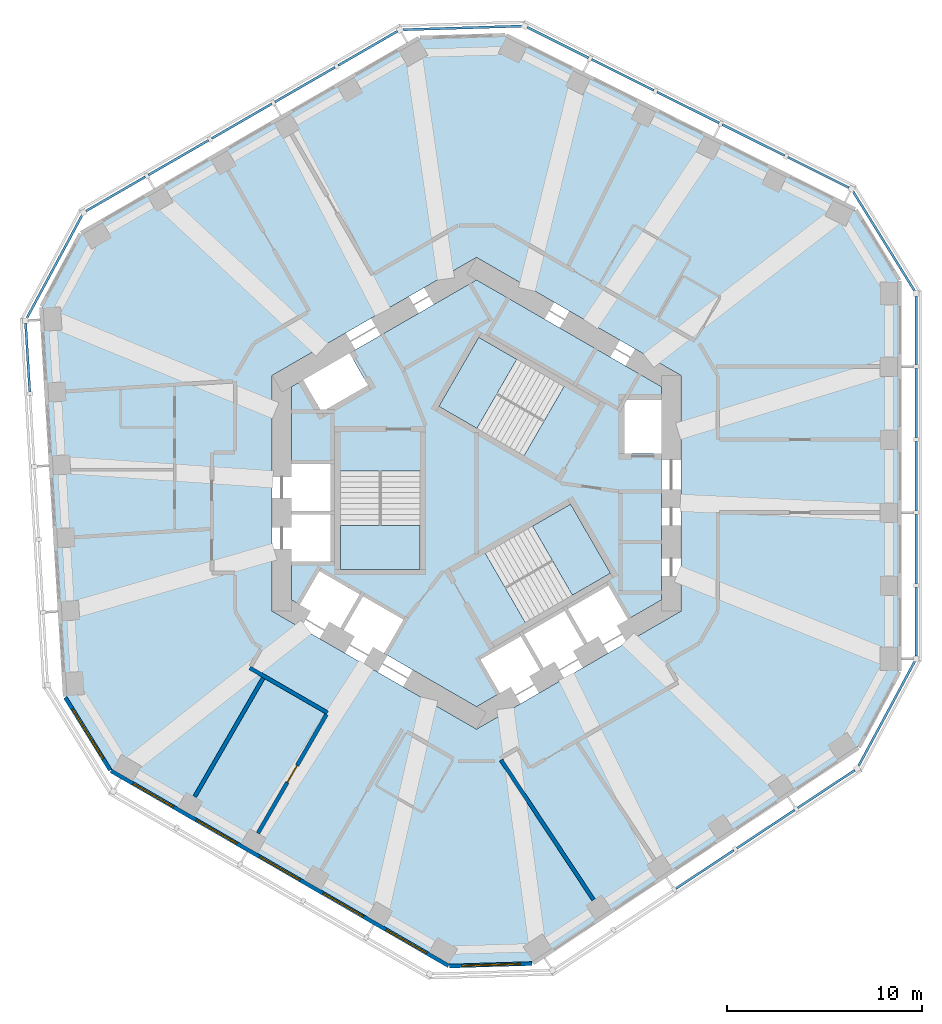
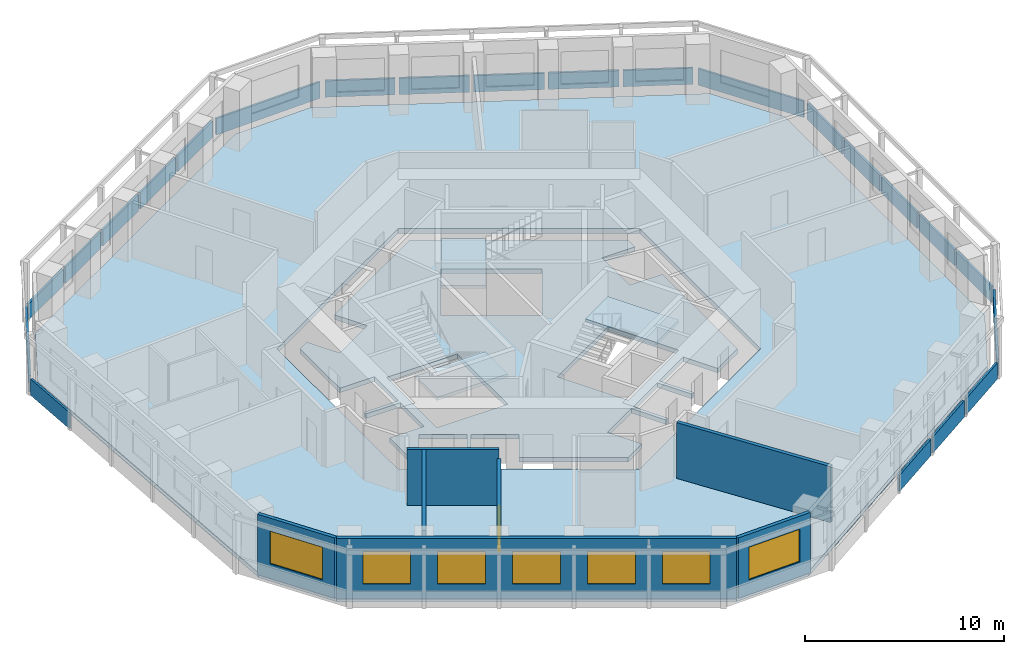
# One storey, part 3 of 10: 23 plates, 7 walls, 7 windows, 5 slabs, 1 door, 8 openings, 12 elements without a shape of their own.
"""IFC4 building model written with IfcOpenShell, lengths in metres."""

from ifc_helpers import new_model, si_unit, direction, frame, frame_2d, origin, origin_2d, place, context, subcontext, project, spatial, polyline, rectangle, outline, extrude, material, layer, layer_set, type_object, element, fill, aggregate, save


model = new_model("IFC4")

# Units and contexts
model_context = context("Model", 3, precision=1e-05, world=origin(), true_north=direction((0.0, 1.0)))
body_context = subcontext(model_context, "Body", "Model", "MODEL_VIEW")
ifc_project = project(units=[si_unit("LENGTHUNIT", "METRE"), si_unit("AREAUNIT", "SQUARE_METRE"), si_unit("VOLUMEUNIT", "CUBIC_METRE"), si_unit("PLANEANGLEUNIT", "RADIAN"), si_unit("MASSUNIT", "GRAM", prefix="KILO")], contexts=[model_context])

# Site, building, storey
site_placement = place(None, origin())
site = spatial("IfcSite", under=ifc_project, at=site_placement, CompositionType="ELEMENT")
building_placement = place(site_placement, origin())
building = spatial("IfcBuilding", under=site, at=building_placement, Name="Vanh Sen Convention Tower", CompositionType="ELEMENT")
storey_placement = place(building_placement, frame((0.0, 0.0, 161.39990234375)))
storey = spatial("IfcBuildingStorey", under=building, at=storey_placement, Name="L39", CompositionType="ELEMENT", Elevation=161.39990234375)

# Slabs
ifc_material_1 = material(Name="Concrete C40/50", Category="concrete")
ifc_layer_1 = layer(ifc_material_1, 0.280029296875)
ifc_layer_set_1 = layer_set([ifc_layer_1], Name="Concrete C40/50")
slab_type_1 = type_object("IfcSlabType", Name="Core slab 280", PredefinedType="FLOOR", material=ifc_layer_set_1)
slab_1_placement = place(storey_placement, frame((0.0, 0.0, -0.27978515625)))
element("IfcSlab", 1, at=slab_1_placement, inside=storey, type_object=slab_type_1, Name="Core slab L39", PredefinedType="FLOOR", context=body_context, shape_type="SweptSolid", body=[
    extrude(outline(polyline([(0.0, 10.9697265625), (9.5, 5.48486328125), (9.5, 4.800048828125), (7.60009765625, 4.800048828125), (7.60009765625, 2.050048828125), (9.5, 2.050048828125), (9.5, -5.48486328125), (7.781005859375, -6.477294921875), (6.781005859375, -4.7451171875), (4.70263671875, -5.9453125), (5.70263671875, -7.67724609375), (5.529296875, -7.777099609375), (4.529296875, -6.045166015625), (2.450927734375, -7.2451171875), (3.450927734375, -8.977294921875), (3.27783203125, -9.0771484375), (2.27783203125, -7.34521484375), (0.19921875, -8.545166015625), (1.19921875, -10.277099609375), (0.0, -10.9697265625), (-4.75, -8.227294921875), (-3.75, -6.4951171875), (-5.82861328125, -5.295166015625), (-6.82861328125, -7.027099609375), (-7.001708984375, -6.92724609375), (-6.001708984375, -5.1953125), (-8.080078125, -3.9951171875), (-9.080078125, -5.727294921875), (-9.5, -5.48486328125), (-9.5, -3.5), (-7.5, -3.5), (-7.5, -1.10009765625), (-9.5, -1.10009765625), (-9.5, -0.89990234375), (-7.5, -0.89990234375), (-7.5, 1.5), (-9.5, 1.5), (-9.5, 5.48486328125), (-8.906982421875, 5.8271484375), (-7.956787109375, 4.181884765625), (-5.575439453125, 5.556884765625), (-6.525390625, 7.2021484375), (0.0, 10.9697265625)]), holes=[polyline([(-7.0, 1.1494140625), (-7.0, -3.909912109375), (-2.89990234375, -3.909912109375), (-2.89990234375, 1.1494140625), (-7.0, 1.1494140625)]), polyline([(2.504638671875, -6.63671875), (6.88623046875, -4.107177734375), (4.836181640625, -0.556396484375), (0.45458984375, -3.086181640625), (2.504638671875, -6.63671875)]), polyline([(0.11376953125, 8.01708984375), (-1.936279296875, 4.466552734375), (2.4453125, 1.936767578125), (4.495361328125, 5.487548828125), (0.11376953125, 8.01708984375)])]), origin(), (0.0, 0.0, 1.0), 0.27978515625),
])
ifc_layer_2 = layer(ifc_material_1, 0.280029296875)
ifc_layer_set_2 = layer_set([ifc_layer_2], Name="Concrete C40/50")
slab_type_2 = type_object("IfcSlabType", Name="Floor slab 280 REI 120", PredefinedType="FLOOR", material=ifc_layer_set_2)
slab_2_placement = place(storey_placement, frame((0.0, 0.0, -0.27978515625)))
element("IfcSlab", 2, at=slab_2_placement, inside=storey, type_object=slab_type_2, Name="Floor slab L39 tower", PredefinedType="FLOOR", context=body_context, shape_type="SweptSolid", body=[
    extrude(outline(polyline([(21.699951171875, -9.15087890625), (21.699951171875, 10.91943359375), (19.454833984375, 14.5478515625), (1.492919921875, 23.503173828125), (-2.925048828125, 23.368408203125), (-20.306640625, 13.3330078125), (-22.326171875, 9.574462890625), (-21.100830078125, -10.458740234375), (-18.77490234375, -14.21728515625), (-1.393310546875, -24.25244140625), (2.871337890625, -24.122314453125), (19.60791015625, -13.04443359375), (21.699951171875, -9.15087890625)]), holes=[polyline([(0.0, 12.12451171875), (-10.5, 6.062255859375), (-10.5, -6.062255859375), (0.0, -12.12451171875), (10.5, -6.062255859375), (10.5, 6.062255859375), (0.0, 12.12451171875)])]), origin(), (0.0, 0.0, 1.0), 0.27978515625),
])

# Curtain wall, plates
ifc_material_2 = material(Name="Concrete C50/60", Category="concrete")
curtain_wall_type = type_object("IfcCurtainWallType", Name="Outer skin office zone", PredefinedType="NOTDEFINED", material=ifc_material_2)
curtain_wall_1_placement = place(storey_placement, origin())
curtain_wall_1 = element("IfcCurtainWall", 3, at=curtain_wall_1_placement, inside=storey, type_object=curtain_wall_type, Name="OUTER SKIN E L39", PredefinedType="NOTDEFINED")
ifc_layer_3 = layer(ifc_material_2, 0.1201171875)
ifc_layer_set_3 = layer_set([ifc_layer_3], Name="Concrete C50/60")
plate_type = type_object("IfcPlateType", Name="Outer skin precast screen panel 120", PredefinedType="CURTAIN_PANEL", material=ifc_layer_set_3)
plate_1_placement = place(storey_placement, frame((22.60009765625, -6.59912109375, 0.0), z_axis=(0.0, 0.0, 1.0), x_axis=(0.0, 1.0, 0.0)))
plate_1 = element("IfcPlate", 4, at=plate_1_placement, type_object=plate_type, Name="OUTER SKIN screen panel E-1", PredefinedType="CURTAIN_PANEL", context=body_context, shape_type="SweptSolid", body=[
    extrude(rectangle(XDim=3.504150390625, YDim=0.1201171875, at=origin_2d()), origin(), (0.0, 0.0, 1.0), 1.0),
])
plate_2_placement = place(storey_placement, frame((22.60009765625, -2.869873046875, 0.0), z_axis=(0.0, 0.0, 1.0), x_axis=(0.0, 1.0, 0.0)))
plate_2 = element("IfcPlate", 5, at=plate_2_placement, type_object=plate_type, Name="OUTER SKIN screen panel E-2", PredefinedType="CURTAIN_PANEL", context=body_context, shape_type="SweptSolid", body=[
    extrude(rectangle(XDim=3.55419921875, YDim=0.1201171875, at=origin_2d()), origin(), (0.0, 0.0, 1.0), 1.0),
])
plate_3_placement = place(storey_placement, frame((22.60009765625, 0.88427734375, 0.0), z_axis=(0.0, 0.0, 1.0), x_axis=(0.0, 1.0, 0.0)))
plate_3 = element("IfcPlate", 6, at=plate_3_placement, type_object=plate_type, Name="OUTER SKIN screen panel E-3", PredefinedType="CURTAIN_PANEL", context=body_context, shape_type="SweptSolid", body=[
    extrude(rectangle(XDim=3.55419921875, YDim=0.1201171875, at=origin_2d()), origin(), (0.0, 0.0, 1.0), 1.0),
])
plate_4_placement = place(storey_placement, frame((22.60009765625, 4.63818359375, 0.0), z_axis=(0.0, 0.0, 1.0), x_axis=(0.0, 1.0, 0.0)))
plate_4 = element("IfcPlate", 7, at=plate_4_placement, type_object=plate_type, Name="OUTER SKIN screen panel E-4", PredefinedType="CURTAIN_PANEL", context=body_context, shape_type="SweptSolid", body=[
    extrude(rectangle(XDim=3.55419921875, YDim=0.1201171875, at=origin_2d()), origin(), (0.0, 0.0, 1.0), 1.0),
])
plate_5_placement = place(storey_placement, frame((22.60009765625, 8.367431640625, 0.0), z_axis=(0.0, 0.0, 1.0), x_axis=(0.0, 1.0, 0.0)))
plate_5 = element("IfcPlate", 8, at=plate_5_placement, type_object=plate_type, Name="OUTER SKIN screen panel E-5", PredefinedType="CURTAIN_PANEL", context=body_context, shape_type="SweptSolid", body=[
    extrude(rectangle(XDim=3.504150390625, YDim=0.1201171875, at=origin_2d()), origin(), (0.0, 0.0, 1.0), 1.0),
])
aggregate(curtain_wall_1, [plate_1, plate_2, plate_3, plate_4, plate_5])

# Curtain wall, plate
curtain_wall_2_placement = place(storey_placement, origin())
curtain_wall_2 = element("IfcCurtainWall", 9, at=curtain_wall_2_placement, inside=storey, type_object=curtain_wall_type, Name="OUTER SKIN CH1 L39", PredefinedType="NOTDEFINED")
plate_6_placement = place(storey_placement, frame((20.937255859375, 12.956298828125, 0.0), z_axis=(0.0, 0.0, 1.0), x_axis=(-0.5262035346, 0.850358653848, 0.0)))
plate_6 = element("IfcPlate", 10, at=plate_6_placement, type_object=plate_type, Name="OUTER SKIN screen panel CH1-1", PredefinedType="CURTAIN_PANEL", context=body_context, shape_type="SweptSolid", body=[
    extrude(rectangle(XDim=6.01953125, YDim=0.1201171875, at=origin_2d()), origin(), (0.0, 0.0, 1.0), 1.0),
])
aggregate(curtain_wall_2, [plate_6])

# Curtain wall, plates
curtain_wall_3_placement = place(storey_placement, origin())
curtain_wall_3 = element("IfcCurtainWall", 11, at=curtain_wall_3_placement, inside=storey, type_object=curtain_wall_type, Name="OUTER SKIN NE L39", PredefinedType="NOTDEFINED")
plate_7_placement = place(storey_placement, frame((17.572509765625, 16.491943359375, 0.0), z_axis=(0.0, 0.0, 1.0), x_axis=(-0.894943706551, 0.446179069551, 0.0)))
plate_7 = element("IfcPlate", 12, at=plate_7_placement, type_object=plate_type, Name="OUTER SKIN screen panel NE-1", PredefinedType="CURTAIN_PANEL", context=body_context, shape_type="SweptSolid", body=[
    extrude(rectangle(XDim=3.504150390625, YDim=0.1201171875, at=origin_2d()), origin(), (0.0, 0.0, 1.0), 1.0),
])
plate_8_placement = place(storey_placement, frame((14.235107421875, 18.156005859375, 0.0), z_axis=(0.0, 0.0, 1.0), x_axis=(-0.894932804072, 0.446200937017, 0.0)))
plate_8 = element("IfcPlate", 13, at=plate_8_placement, type_object=plate_type, Name="OUTER SKIN screen panel NE-2", PredefinedType="CURTAIN_PANEL", context=body_context, shape_type="SweptSolid", body=[
    extrude(rectangle(XDim=3.55419921875, YDim=0.1201171875, at=origin_2d()), origin(), (0.0, 0.0, 1.0), 1.0),
])
plate_9_placement = place(storey_placement, frame((10.87548828125, 19.8310546875, 0.0), z_axis=(0.0, 0.0, 1.0), x_axis=(-0.894932804072, 0.446200937017, 0.0)))
plate_9 = element("IfcPlate", 14, at=plate_9_placement, type_object=plate_type, Name="OUTER SKIN screen panel NE-3", PredefinedType="CURTAIN_PANEL", context=body_context, shape_type="SweptSolid", body=[
    extrude(rectangle(XDim=3.55419921875, YDim=0.1201171875, at=origin_2d()), origin(), (0.0, 0.0, 1.0), 1.0),
])
plate_10_placement = place(storey_placement, frame((7.515625, 21.506103515625, 0.0), z_axis=(0.0, 0.0, 1.0), x_axis=(-0.894932804072, 0.446200937017, 0.0)))
plate_10 = element("IfcPlate", 15, at=plate_10_placement, type_object=plate_type, Name="OUTER SKIN screen panel NE-4", PredefinedType="CURTAIN_PANEL", context=body_context, shape_type="SweptSolid", body=[
    extrude(rectangle(XDim=3.55419921875, YDim=0.1201171875, at=origin_2d()), origin(), (0.0, 0.0, 1.0), 1.0),
])
plate_11_placement = place(storey_placement, frame((4.178466796875, 23.169921875, 0.0), z_axis=(0.0, 0.0, 1.0), x_axis=(-0.894943706551, 0.446179069551, 0.0)))
plate_11 = element("IfcPlate", 16, at=plate_11_placement, type_object=plate_type, Name="OUTER SKIN screen panel NE-5", PredefinedType="CURTAIN_PANEL", context=body_context, shape_type="SweptSolid", body=[
    extrude(rectangle(XDim=3.504150390625, YDim=0.1201171875, at=origin_2d()), origin(), (0.0, 0.0, 1.0), 1.0),
])
aggregate(curtain_wall_3, [plate_7, plate_8, plate_9, plate_10, plate_11])

# Curtain wall, plate
curtain_wall_4_placement = place(storey_placement, origin())
curtain_wall_4 = element("IfcCurtainWall", 17, at=curtain_wall_4_placement, inside=storey, type_object=curtain_wall_type, Name="OUTER SKIN CH2 L39", PredefinedType="NOTDEFINED")
plate_12_placement = place(storey_placement, frame((-0.73095703125, 23.920654296875, 0.0), z_axis=(0.0, 0.0, 1.0), x_axis=(-0.999533590837, -0.03053851321, 0.0)))
plate_12 = element("IfcPlate", 18, at=plate_12_placement, type_object=plate_type, Name="OUTER SKIN screen panel CH2-1", PredefinedType="CURTAIN_PANEL", context=body_context, shape_type="SweptSolid", body=[
    extrude(rectangle(XDim=6.1171875, YDim=0.1201171875, at=origin_2d()), origin(), (0.0, 0.0, 1.0), 1.0),
])
aggregate(curtain_wall_4, [plate_12])

# Curtain wall, plates
curtain_wall_5_placement = place(storey_placement, origin())
curtain_wall_5 = element("IfcCurtainWall", 19, at=curtain_wall_5_placement, inside=storey, type_object=curtain_wall_type, Name="OUTER SKIN NW L39", PredefinedType="NOTDEFINED")
plate_13_placement = place(storey_placement, frame((-5.585205078125, 22.87158203125, 0.0), z_axis=(0.0, 0.0, 1.0), x_axis=(-0.866035002936, -0.499983373414, 0.0)))
plate_13 = element("IfcPlate", 20, at=plate_13_placement, type_object=plate_type, Name="OUTER SKIN screen panel NW-1", PredefinedType="CURTAIN_PANEL", context=body_context, shape_type="SweptSolid", body=[
    extrude(rectangle(XDim=3.504150390625, YDim=0.1201171875, at=origin_2d()), origin(), (0.0, 0.0, 1.0), 1.0),
])
plate_14_placement = place(storey_placement, frame((-8.814697265625, 21.007080078125, 0.0), z_axis=(0.0, 0.0, 1.0), x_axis=(-0.866016677006, -0.500015114919, 0.0)))
plate_14 = element("IfcPlate", 21, at=plate_14_placement, type_object=plate_type, Name="OUTER SKIN screen panel NW-2", PredefinedType="CURTAIN_PANEL", context=body_context, shape_type="SweptSolid", body=[
    extrude(rectangle(XDim=3.55419921875, YDim=0.1201171875, at=origin_2d()), origin(), (0.0, 0.0, 1.0), 1.0),
])
plate_15_placement = place(storey_placement, frame((-12.06591796875, 19.1298828125, 0.0), z_axis=(0.0, 0.0, 1.0), x_axis=(-0.866035002936, -0.499983373414, 0.0)))
plate_15 = element("IfcPlate", 22, at=plate_15_placement, type_object=plate_type, Name="OUTER SKIN screen panel NW-3", PredefinedType="CURTAIN_PANEL", context=body_context, shape_type="SweptSolid", body=[
    extrude(rectangle(XDim=3.55419921875, YDim=0.1201171875, at=origin_2d()), origin(), (0.0, 0.0, 1.0), 1.0),
])
plate_16_placement = place(storey_placement, frame((-15.31689453125, 17.2529296875, 0.0), z_axis=(0.0, 0.0, 1.0), x_axis=(-0.866016677006, -0.500015114919, 0.0)))
plate_16 = element("IfcPlate", 23, at=plate_16_placement, type_object=plate_type, Name="OUTER SKIN screen panel NW-4", PredefinedType="CURTAIN_PANEL", context=body_context, shape_type="SweptSolid", body=[
    extrude(rectangle(XDim=3.55419921875, YDim=0.1201171875, at=origin_2d()), origin(), (0.0, 0.0, 1.0), 1.0),
])
plate_17_placement = place(storey_placement, frame((-18.54638671875, 15.388427734375, 0.0), z_axis=(0.0, 0.0, 1.0), x_axis=(-0.866035002936, -0.499983373414, 0.0)))
plate_17 = element("IfcPlate", 24, at=plate_17_placement, type_object=plate_type, Name="OUTER SKIN screen panel NW-5", PredefinedType="CURTAIN_PANEL", context=body_context, shape_type="SweptSolid", body=[
    extrude(rectangle(XDim=3.504150390625, YDim=0.1201171875, at=origin_2d()), origin(), (0.0, 0.0, 1.0), 1.0),
])
aggregate(curtain_wall_5, [plate_13, plate_14, plate_15, plate_16, plate_17])

# Curtain wall, plate
curtain_wall_6_placement = place(storey_placement, origin())
curtain_wall_6 = element("IfcCurtainWall", 25, at=curtain_wall_6_placement, inside=storey, type_object=curtain_wall_type, Name="OUTER SKIN CH3 L39", PredefinedType="NOTDEFINED")
plate_18_placement = place(storey_placement, frame((-21.689208984375, 11.654052734375, 0.0), z_axis=(0.0, 0.0, 1.0), x_axis=(-0.47331812974, -0.880891564303, 0.0)))
plate_18 = element("IfcPlate", 26, at=plate_18_placement, type_object=plate_type, Name="OUTER SKIN screen panel CH3-1", PredefinedType="CURTAIN_PANEL", context=body_context, shape_type="SweptSolid", body=[
    extrude(rectangle(XDim=6.019287109375, YDim=0.1201171875, at=origin_2d()), origin(), (0.0, 0.0, 1.0), 1.0),
])
aggregate(curtain_wall_6, [plate_18])

curtain_wall_7_placement = place(storey_placement, origin())
curtain_wall_7 = element("IfcCurtainWall", 27, at=curtain_wall_7_placement, inside=storey, type_object=curtain_wall_type, Name="OUTER SKIN W L39", PredefinedType="NOTDEFINED")
plate_19_placement = place(storey_placement, frame((-23.068603515625, 6.97216796875, 0.0), z_axis=(0.0, 0.0, 1.0), x_axis=(0.061053765756, -0.998134478759, 0.0)))
plate_19 = element("IfcPlate", 28, at=plate_19_placement, type_object=plate_type, Name="OUTER SKIN screen panel W-1", PredefinedType="CURTAIN_PANEL", context=body_context, shape_type="SweptSolid", body=[
    extrude(rectangle(XDim=3.504150390625, YDim=0.1201171875, at=origin_2d()), origin(), (0.0, 0.0, 1.0), 1.0),
])
aggregate(curtain_wall_7, [plate_19])

# Curtain wall, plates
curtain_wall_8_placement = place(storey_placement, origin())
curtain_wall_8 = element("IfcCurtainWall", 29, at=curtain_wall_8_placement, inside=storey, type_object=curtain_wall_type, Name="OUTER SKIN SE L39", PredefinedType="NOTDEFINED")
plate_20_placement = place(storey_placement, frame((11.736328125, -19.333984375, 0.0), z_axis=(0.0, 0.0, 1.0), x_axis=(0.833877152158, 0.551950083892, 0.0)))
plate_20 = element("IfcPlate", 30, at=plate_20_placement, type_object=plate_type, Name="OUTER SKIN screen panel SE-3", PredefinedType="CURTAIN_PANEL", context=body_context, shape_type="SweptSolid", body=[
    extrude(rectangle(XDim=3.55419921875, YDim=0.1201171875, at=origin_2d()), origin(), (0.0, 0.0, 1.0), 1.0),
])
plate_21_placement = place(storey_placement, frame((14.866943359375, -17.26171875, 0.0), z_axis=(0.0, 0.0, 1.0), x_axis=(0.833889675294, 0.551931163677, 0.0)))
plate_21 = element("IfcPlate", 31, at=plate_21_placement, type_object=plate_type, Name="OUTER SKIN screen panel SE-4", PredefinedType="CURTAIN_PANEL", context=body_context, shape_type="SweptSolid", body=[
    extrude(rectangle(XDim=3.55419921875, YDim=0.1201171875, at=origin_2d()), origin(), (0.0, 0.0, 1.0), 1.0),
])
plate_22_placement = place(storey_placement, frame((17.9765625, -15.20361328125, 0.0), z_axis=(0.0, 0.0, 1.0), x_axis=(0.833889675294, 0.551931163677, 0.0)))
plate_22 = element("IfcPlate", 32, at=plate_22_placement, type_object=plate_type, Name="OUTER SKIN screen panel SE-5", PredefinedType="CURTAIN_PANEL", context=body_context, shape_type="SweptSolid", body=[
    extrude(rectangle(XDim=3.504150390625, YDim=0.1201171875, at=origin_2d()), origin(), (0.0, 0.0, 1.0), 1.0),
])
aggregate(curtain_wall_8, [plate_20, plate_21, plate_22])

# Curtain wall, plate
curtain_wall_9_placement = place(storey_placement, origin())
curtain_wall_9 = element("IfcCurtainWall", 33, at=curtain_wall_9_placement, inside=storey, type_object=curtain_wall_type, Name="OUTER SKIN CH6 L39", PredefinedType="NOTDEFINED")
plate_23_placement = place(storey_placement, frame((21.081298828125, -11.327392578125, 0.0), z_axis=(0.0, 0.0, 1.0), x_axis=(0.473321204628, 0.880889912105, 0.0)))
plate_23 = element("IfcPlate", 34, at=plate_23_placement, type_object=plate_type, Name="OUTER SKIN screen panel CH6-1", PredefinedType="CURTAIN_PANEL", context=body_context, shape_type="SweptSolid", body=[
    extrude(rectangle(XDim=6.1171875, YDim=0.1201171875, at=origin_2d()), origin(), (0.0, 0.0, 1.0), 1.0),
])
aggregate(curtain_wall_9, [plate_23])

# Stair, slab
ifc_material_3 = material(Name="Concrete C50/60", Category="concrete")
stair_type_1 = type_object("IfcStairType", Name="Exit stair ST1 22 risers at 168.2", PredefinedType="HALF_TURN_STAIR", material=ifc_material_3)
stair_1_placement = place(storey_placement, origin())
stair_1 = element("IfcStair", 35, at=stair_1_placement, inside=storey, type_object=stair_type_1, Name="Exit stair ST1 L39", PredefinedType="HALF_TURN_STAIR")
ifc_layer_4 = layer(ifc_material_1, 0.199951171875)
ifc_layer_set_4 = layer_set([ifc_layer_4], Name="Concrete C40/50")
slab_type_3 = type_object("IfcSlabType", Name="Stair landing 200", PredefinedType="LANDING", material=ifc_layer_set_4)
slab_3_placement = place(storey_placement, frame((0.0, 0.0, 1.650146484375)))
slab_3 = element("IfcSlab", 36, at=slab_3_placement, type_object=slab_type_3, Name="ST1 landing 1", PredefinedType="LANDING", context=body_context, shape_type="SweptSolid", body=[
    extrude(outline(polyline([(2.07177734375, 6.88671875), (0.11376953125, 8.01708984375), (-1.936279296875, 4.466552734375), (0.021728515625, 3.336181640625), (2.07177734375, 6.88671875)])), origin(), (0.0, 0.0, 1.0), 0.199951171875),
])
aggregate(stair_1, [slab_3])

stair_type_2 = type_object("IfcStairType", Name="Exit stair ST2 22 risers at 168.2", PredefinedType="HALF_TURN_STAIR", material=ifc_material_3)
stair_2_placement = place(storey_placement, origin())
stair_2 = element("IfcStair", 37, at=stair_2_placement, inside=storey, type_object=stair_type_2, Name="Exit stair ST2 L39", PredefinedType="HALF_TURN_STAIR")
slab_4_placement = place(storey_placement, frame((0.0, 0.0, 1.650146484375)))
slab_4 = element("IfcSlab", 38, at=slab_4_placement, type_object=slab_type_3, Name="ST2 landing 1", PredefinedType="LANDING", context=body_context, shape_type="SweptSolid", body=[
    extrude(outline(polyline([(-7.0, -1.6494140625), (-7.0, -3.909912109375), (-2.89990234375, -3.909912109375), (-2.89990234375, -1.6494140625), (-7.0, -1.6494140625)])), origin(), (0.0, 0.0, 1.0), 0.199951171875),
])
aggregate(stair_2, [slab_4])

stair_type_3 = type_object("IfcStairType", Name="Exit stair ST3 22 risers at 168.2", PredefinedType="HALF_TURN_STAIR", material=ifc_material_3)
stair_3_placement = place(storey_placement, origin())
stair_3 = element("IfcStair", 39, at=stair_3_placement, inside=storey, type_object=stair_type_3, Name="Exit stair ST3 L39", PredefinedType="HALF_TURN_STAIR")
slab_5_placement = place(storey_placement, frame((0.0, 0.0, 1.650146484375)))
slab_5 = element("IfcSlab", 40, at=slab_5_placement, type_object=slab_type_3, Name="ST3 landing 1", PredefinedType="LANDING", context=body_context, shape_type="SweptSolid", body=[
    extrude(outline(polyline([(4.92822265625, -5.237548828125), (6.88623046875, -4.107177734375), (4.836181640625, -0.556396484375), (2.87841796875, -1.686767578125), (4.92822265625, -5.237548828125)])), origin(), (0.0, 0.0, 1.0), 0.199951171875),
])
aggregate(stair_3, [slab_5])

# Wall
ifc_material_4 = material(Name="Gypsum board on steel studs with mineral wool", Category="steel")
ifc_layer_5 = layer(ifc_material_4, 0.199951171875)
ifc_layer_set_5 = layer_set([ifc_layer_5], Name="Gypsum board on steel studs with mineral wool")
wall_type_1 = type_object("IfcWallType", Name="Corridor partition wall 200", PredefinedType="PARTITIONING", material=ifc_layer_set_5)
wall_1_placement = place(storey_placement, frame((-11.651123046875, -8.978271484375, 0.0), z_axis=(0.0, 0.0, 1.0), x_axis=(0.866010893236, -0.500025132165, 0.0)))
element("IfcWall", 41, at=wall_1_placement, inside=storey, type_object=wall_type_1, Name="Corridor partition wall 200", PredefinedType="PARTITIONING", context=body_context, shape_type="SweptSolid", body=[
    extrude(rectangle(XDim=4.608154296875, YDim=0.199951171875, at=frame_2d((2.30419921875, 0.0))), origin(), (0.0, 0.0, 1.0), 3.420166015625),
])

# Wall, opening, door
wall_2_placement = place(storey_placement, frame((-11.23486328125, -17.4736328125, 0.0), z_axis=(0.0, 0.0, 1.0), x_axis=(0.500009260695, 0.866020057054, 0.0)))
wall_2 = element("IfcWall", 42, at=wall_2_placement, inside=storey, type_object=wall_type_1, Name="Corridor partition wall 200", PredefinedType="PARTITIONING", context=body_context, shape_type="SweptSolid", body=[
    extrude(rectangle(XDim=7.049072265625, YDim=0.199951171875, at=frame_2d((3.5244140625, 0.0))), origin(), (0.0, 0.0, 1.0), 2.8701171875),
])
opening_1_placement = place(wall_2_placement, frame((3.0244140625, 0.0, 0.0)))
opening_1 = element("IfcOpeningElement", 43, at=opening_1_placement, cuts=wall_2, Name="Opening D38112", PredefinedType="OPENING", context=body_context, shape_type="SweptSolid", body=[
    extrude(rectangle(XDim=1.0, YDim=2.10009765625, at=frame_2d((0.5, 1.050048828125))), frame((0.0, 0.10986328125, 0.0), z_axis=(0.0, -1.0, 0.0), x_axis=(1.0, 0.0, 0.0)), (0.0, 0.0, 1.0), 0.219970703125),
])
ifc_material_5 = material(Name="Glazed fire door in steel frame", Category="steel")
door_type = type_object("IfcDoorType", Name="Tenant entrance door 1000", OperationType="SINGLE_SWING_LEFT", PredefinedType="DOOR", material=ifc_material_5)
door_placement = place(opening_1_placement, origin())
door = element("IfcDoor", 44, at=door_placement, inside=storey, type_object=door_type, Name="Tenant suite entrance door D38112", OperationType="SINGLE_SWING_LEFT", OverallHeight=2.10009765625, OverallWidth=1.0, PredefinedType="DOOR", context=body_context, shape_type="SweptSolid", body=[
    extrude(rectangle(XDim=1.0, YDim=2.10009765625, at=frame_2d((0.5, 1.050048828125))), frame((0.0, 0.02490234375, 0.0), z_axis=(0.0, -1.0, 0.0), x_axis=(1.0, 0.0, 0.0)), (0.0, 0.0, 1.0), 0.050048828125),
])
fill(opening_1, door)

# Wall, opening, window
ifc_material_6 = material(Name="Insulated lightweight infill wall")
ifc_layer_6 = layer(ifc_material_6, 0.199951171875)
ifc_layer_set_6 = layer_set([ifc_layer_6], Name="Insulated lightweight infill wall")
wall_type_2 = type_object("IfcWallType", Name="External wall 200", PredefinedType="STANDARD", material=ifc_layer_set_6)
wall_3_placement = place(storey_placement, frame((-21.13671875, -10.49560546875, 0.0), z_axis=(0.0, 0.0, 1.0), x_axis=(0.526178661629, -0.850374044786, 0.0)))
wall_3 = element("IfcWall", 45, at=wall_3_placement, inside=storey, type_object=wall_type_2, Name="External wall CH4 L39", PredefinedType="STANDARD", context=body_context, shape_type="SweptSolid", body=[
    extrude(rectangle(XDim=4.394775390625, YDim=0.199951171875, at=frame_2d((2.197265625, 0.0))), origin(), (0.0, 0.0, 1.0), 3.7001953125),
])
opening_2_placement = place(wall_3_placement, frame((0.697509765625, 0.0, 0.89990234375)))
opening_2 = element("IfcOpeningElement", 46, at=opening_2_placement, cuts=wall_3, Name="Opening WO2-CH41", PredefinedType="OPENING", context=body_context, shape_type="SweptSolid", body=[
    extrude(rectangle(XDim=3.0, YDim=2.0, at=frame_2d((1.5, 1.0))), frame((0.0, 0.10986328125, 0.0), z_axis=(0.0, -1.0, 0.0), x_axis=(1.0, 0.0, 0.0)), (0.0, 0.0, 1.0), 0.219970703125),
])
ifc_material_7 = material(Name="Aluminium frame with clear low-emissivity glass", Category="aluminium")
window_type_1 = type_object("IfcWindowType", Name="Office window 3000 x 2000", PartitioningType="SINGLE_PANEL", PredefinedType="WINDOW", material=ifc_material_7)
window_1_placement = place(opening_2_placement, origin())
window_1 = element("IfcWindow", 47, at=window_1_placement, inside=storey, type_object=window_type_1, Name="Window WO2-CH41", OverallHeight=2.0, OverallWidth=3.0, PartitioningType="SINGLE_PANEL", PredefinedType="WINDOW", context=body_context, shape_type="SweptSolid", body=[
    extrude(rectangle(XDim=3.0, YDim=2.0, at=frame_2d((1.5, 1.0))), frame((0.0, 0.030029296875, 0.0), z_axis=(0.0, -1.0, 0.0), x_axis=(1.0, 0.0, 0.0)), (0.0, 0.0, 1.0), 0.06005859375),
])
fill(opening_2, window_1)

# Wall, openings, windows
wall_4_placement = place(storey_placement, frame((-18.7890625, -14.266845703125, 0.0), z_axis=(0.0, 0.0, 1.0), x_axis=(0.866023315909, -0.500003616288, 0.0)))
wall_4 = element("IfcWall", 48, at=wall_4_placement, inside=storey, type_object=wall_type_2, Name="External wall SW L39", PredefinedType="STANDARD", context=body_context, shape_type="SweptSolid", body=[
    extrude(rectangle(XDim=20.043701171875, YDim=0.199951171875, at=frame_2d((10.02197265625, 0.0))), origin(), (0.0, 0.0, 1.0), 3.7001953125),
])
opening_3_placement = place(wall_4_placement, frame((1.314453125, 0.0, 0.89990234375)))
opening_3 = element("IfcOpeningElement", 49, at=opening_3_placement, cuts=wall_4, Name="Opening WO1-SW1", PredefinedType="OPENING", context=body_context, shape_type="SweptSolid", body=[
    extrude(rectangle(XDim=2.39990234375, YDim=2.0, at=frame_2d((1.199951171875, 1.0))), frame((0.0, 0.10986328125, 0.0), z_axis=(0.0, -1.0, 0.0), x_axis=(1.0, 0.0, 0.0)), (0.0, 0.0, 1.0), 0.219970703125),
])
opening_4_placement = place(wall_4_placement, frame((5.068603515625, 0.0, 0.89990234375)))
opening_4 = element("IfcOpeningElement", 50, at=opening_4_placement, cuts=wall_4, Name="Opening WO1-SW2", PredefinedType="OPENING", context=body_context, shape_type="SweptSolid", body=[
    extrude(rectangle(XDim=2.39990234375, YDim=2.0, at=frame_2d((1.199951171875, 1.0))), frame((0.0, 0.10986328125, 0.0), z_axis=(0.0, -1.0, 0.0), x_axis=(1.0, 0.0, 0.0)), (0.0, 0.0, 1.0), 0.219970703125),
])
opening_5_placement = place(wall_4_placement, frame((8.82275390625, 0.0, 0.89990234375)))
opening_5 = element("IfcOpeningElement", 51, at=opening_5_placement, cuts=wall_4, Name="Opening WO1-SW3", PredefinedType="OPENING", context=body_context, shape_type="SweptSolid", body=[
    extrude(rectangle(XDim=2.39990234375, YDim=2.0, at=frame_2d((1.199951171875, 1.0))), frame((0.0, 0.10986328125, 0.0), z_axis=(0.0, -1.0, 0.0), x_axis=(1.0, 0.0, 0.0)), (0.0, 0.0, 1.0), 0.219970703125),
])
opening_6_placement = place(wall_4_placement, frame((12.576904296875, 0.0, 0.89990234375)))
opening_6 = element("IfcOpeningElement", 52, at=opening_6_placement, cuts=wall_4, Name="Opening WO1-SW4", PredefinedType="OPENING", context=body_context, shape_type="SweptSolid", body=[
    extrude(rectangle(XDim=2.39990234375, YDim=2.0, at=frame_2d((1.199951171875, 1.0))), frame((0.0, 0.10986328125, 0.0), z_axis=(0.0, -1.0, 0.0), x_axis=(1.0, 0.0, 0.0)), (0.0, 0.0, 1.0), 0.219970703125),
])
opening_7_placement = place(wall_4_placement, frame((16.330810546875, 0.0, 0.89990234375)))
opening_7 = element("IfcOpeningElement", 53, at=opening_7_placement, cuts=wall_4, Name="Opening WO1-SW5", PredefinedType="OPENING", context=body_context, shape_type="SweptSolid", body=[
    extrude(rectangle(XDim=2.39990234375, YDim=2.0, at=frame_2d((1.199951171875, 1.0))), frame((0.0, 0.10986328125, 0.0), z_axis=(0.0, -1.0, 0.0), x_axis=(1.0, 0.0, 0.0)), (0.0, 0.0, 1.0), 0.219970703125),
])
window_type_2 = type_object("IfcWindowType", Name="Office window 2400 x 2000", PartitioningType="SINGLE_PANEL", PredefinedType="WINDOW", material=ifc_material_7)
window_2_placement = place(opening_3_placement, origin())
window_2 = element("IfcWindow", 54, at=window_2_placement, inside=storey, type_object=window_type_2, Name="Window WO1-SW1", OverallHeight=2.0, OverallWidth=2.39990234375, PartitioningType="SINGLE_PANEL", PredefinedType="WINDOW", context=body_context, shape_type="SweptSolid", body=[
    extrude(rectangle(XDim=2.39990234375, YDim=2.0, at=frame_2d((1.199951171875, 1.0))), frame((0.0, 0.030029296875, 0.0), z_axis=(0.0, -1.0, 0.0), x_axis=(1.0, 0.0, 0.0)), (0.0, 0.0, 1.0), 0.06005859375),
])
fill(opening_3, window_2)
window_3_placement = place(opening_4_placement, origin())
window_3 = element("IfcWindow", 55, at=window_3_placement, inside=storey, type_object=window_type_2, Name="Window WO1-SW2", OverallHeight=2.0, OverallWidth=2.39990234375, PartitioningType="SINGLE_PANEL", PredefinedType="WINDOW", context=body_context, shape_type="SweptSolid", body=[
    extrude(rectangle(XDim=2.39990234375, YDim=2.0, at=frame_2d((1.199951171875, 1.0))), frame((0.0, 0.030029296875, 0.0), z_axis=(0.0, -1.0, 0.0), x_axis=(1.0, 0.0, 0.0)), (0.0, 0.0, 1.0), 0.06005859375),
])
fill(opening_4, window_3)
window_4_placement = place(opening_5_placement, origin())
window_4 = element("IfcWindow", 56, at=window_4_placement, inside=storey, type_object=window_type_2, Name="Window WO1-SW3", OverallHeight=2.0, OverallWidth=2.39990234375, PartitioningType="SINGLE_PANEL", PredefinedType="WINDOW", context=body_context, shape_type="SweptSolid", body=[
    extrude(rectangle(XDim=2.39990234375, YDim=2.0, at=frame_2d((1.199951171875, 1.0))), frame((0.0, 0.030029296875, 0.0), z_axis=(0.0, -1.0, 0.0), x_axis=(1.0, 0.0, 0.0)), (0.0, 0.0, 1.0), 0.06005859375),
])
fill(opening_5, window_4)
window_5_placement = place(opening_6_placement, origin())
window_5 = element("IfcWindow", 57, at=window_5_placement, inside=storey, type_object=window_type_2, Name="Window WO1-SW4", OverallHeight=2.0, OverallWidth=2.39990234375, PartitioningType="SINGLE_PANEL", PredefinedType="WINDOW", context=body_context, shape_type="SweptSolid", body=[
    extrude(rectangle(XDim=2.39990234375, YDim=2.0, at=frame_2d((1.199951171875, 1.0))), frame((0.0, 0.030029296875, 0.0), z_axis=(0.0, -1.0, 0.0), x_axis=(1.0, 0.0, 0.0)), (0.0, 0.0, 1.0), 0.06005859375),
])
fill(opening_6, window_5)
window_6_placement = place(opening_7_placement, origin())
window_6 = element("IfcWindow", 58, at=window_6_placement, inside=storey, type_object=window_type_2, Name="Window WO1-SW5", OverallHeight=2.0, OverallWidth=2.39990234375, PartitioningType="SINGLE_PANEL", PredefinedType="WINDOW", context=body_context, shape_type="SweptSolid", body=[
    extrude(rectangle(XDim=2.39990234375, YDim=2.0, at=frame_2d((1.199951171875, 1.0))), frame((0.0, 0.030029296875, 0.0), z_axis=(0.0, -1.0, 0.0), x_axis=(1.0, 0.0, 0.0)), (0.0, 0.0, 1.0), 0.06005859375),
])
fill(opening_7, window_6)

# Wall, opening, window
wall_5_placement = place(storey_placement, frame((-1.377685546875, -24.302001953125, 0.0), z_axis=(0.0, 0.0, 1.0), x_axis=(0.999533857267, 0.030529791629, 0.0)))
wall_5 = element("IfcWall", 59, at=wall_5_placement, inside=storey, type_object=wall_type_2, Name="External wall CH5 L39", PredefinedType="STANDARD", context=body_context, shape_type="SweptSolid", body=[
    extrude(rectangle(XDim=4.23828125, YDim=0.199951171875, at=frame_2d((2.119140625, 0.0))), origin(), (0.0, 0.0, 1.0), 3.7001953125),
])
opening_8_placement = place(wall_5_placement, frame((0.619140625, 0.0, 0.89990234375)))
opening_8 = element("IfcOpeningElement", 60, at=opening_8_placement, cuts=wall_5, Name="Opening WO2-CH51", PredefinedType="OPENING", context=body_context, shape_type="SweptSolid", body=[
    extrude(rectangle(XDim=3.0, YDim=2.0, at=frame_2d((1.5, 1.0))), frame((0.0, 0.10986328125, 0.0), z_axis=(0.0, -1.0, 0.0), x_axis=(1.0, 0.0, 0.0)), (0.0, 0.0, 1.0), 0.219970703125),
])
window_7_placement = place(opening_8_placement, origin())
window_7 = element("IfcWindow", 61, at=window_7_placement, inside=storey, type_object=window_type_1, Name="Window WO2-CH51", OverallHeight=2.0, OverallWidth=3.0, PartitioningType="SINGLE_PANEL", PredefinedType="WINDOW", context=body_context, shape_type="SweptSolid", body=[
    extrude(rectangle(XDim=3.0, YDim=2.0, at=frame_2d((1.5, 1.0))), frame((0.0, 0.030029296875, 0.0), z_axis=(0.0, -1.0, 0.0), x_axis=(1.0, 0.0, 0.0)), (0.0, 0.0, 1.0), 0.06005859375),
])
fill(opening_8, window_7)

# Walls
ifc_layer_7 = layer(ifc_material_4, 0.199951171875)
ifc_layer_set_7 = layer_set([ifc_layer_7], Name="Gypsum board on steel studs with mineral wool")
wall_type_3 = type_object("IfcWallType", Name="Tenant suite wall 200", PredefinedType="PARTITIONING", material=ifc_layer_set_7)
wall_6_placement = place(storey_placement, frame((-14.48583984375, -15.5966796875, 0.0), z_axis=(0.0, 0.0, 1.0), x_axis=(0.499983284935, 0.866035054017, 0.0)))
element("IfcWall", 62, at=wall_6_placement, inside=storey, type_object=wall_type_3, Name="Tenant suite wall 200", PredefinedType="PARTITIONING", context=body_context, shape_type="SweptSolid", body=[
    extrude(rectangle(XDim=7.049072265625, YDim=0.199951171875, at=frame_2d((3.5244140625, 0.0))), origin(), (0.0, 0.0, 1.0), 3.420166015625),
])
wall_7_placement = place(storey_placement, frame((6.01953125, -20.899169921875, 0.0), z_axis=(0.0, 0.0, 1.0), x_axis=(-0.551943990108, 0.833881185651, 0.0)))
element("IfcWall", 63, at=wall_7_placement, inside=storey, type_object=wall_type_3, Name="Tenant suite wall 200", PredefinedType="PARTITIONING", context=body_context, shape_type="SweptSolid", body=[
    extrude(rectangle(XDim=8.615234375, YDim=0.199951171875, at=frame_2d((4.3076171875, 0.0))), origin(), (0.0, 0.0, 1.0), 3.420166015625),
])

save(model, "model.ifc")
